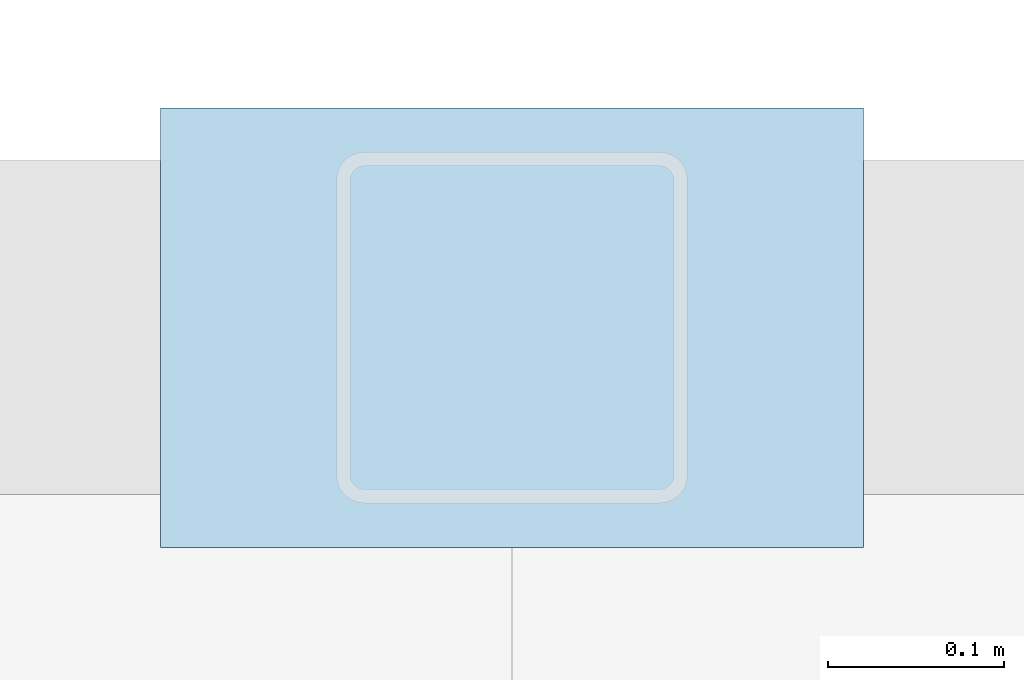
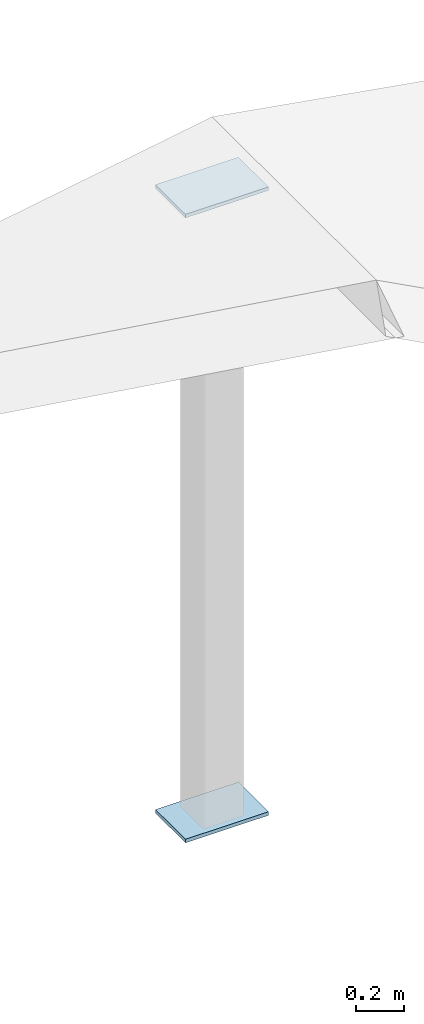
# One storey, part 82 of 140: 2 plates.
"""IFC4 building model written with IfcOpenShell, lengths in metres."""

from ifc_helpers import new_model, si_unit, direction, frame, origin, origin_2d, place, context, subcontext, project, spatial, rectangle, extrude, material, layer, layer_set, type_object, element, save


model = new_model("IFC4")

# Units and contexts
model_context = context("Model", 3, precision=1e-05, world=origin(), true_north=direction((0.0, 1.0)))
body_context = subcontext(model_context, "Body", "Model", "MODEL_VIEW")
ifc_project = project(units=[si_unit("LENGTHUNIT", "METRE"), si_unit("AREAUNIT", "SQUARE_METRE"), si_unit("VOLUMEUNIT", "CUBIC_METRE"), si_unit("PLANEANGLEUNIT", "RADIAN"), si_unit("MASSUNIT", "GRAM", prefix="KILO")], contexts=[model_context])

# Site, building, storey
site_placement = place(None, origin())
site = spatial("IfcSite", under=ifc_project, at=site_placement, CompositionType="ELEMENT")
building_placement = place(site_placement, origin())
building = spatial("IfcBuilding", under=site, at=building_placement, Name="Varnapada Polytechnic", CompositionType="ELEMENT")
storey_placement = place(building_placement, frame((0.0, 0.0, 13.800048828125)))
storey = spatial("IfcBuildingStorey", under=building, at=storey_placement, Name="L03", CompositionType="ELEMENT", Elevation=13.800048828125)

# Plates
ifc_material = material(Name="Steel S355", Category="steel")
ifc_layer = layer(ifc_material, 0.01806640625)
ifc_layer_set = layer_set([ifc_layer], Name="Steel S355")
plate_type = type_object("IfcPlateType", Name="Plate BP-06", PredefinedType="SHEET", material=ifc_layer_set)
for number, where, z_axis, x_axis, name in (
    (1, (151.199951171875, 50.39990234375, -0.009033203125), (0.0, 0.0, 1.0), (1.0, 0.0, 0.0), "Post splice gusset plate V3-RPPL-06 B"),
    (2, (151.199951171875, 50.39990234375, 3.1708984375), (0.0, 0.0, 1.0), (1.0, 0.0, 0.0), "Post splice gusset plate V3-RPPL-06 T"),
):
    element("IfcPlate", number, at=place(storey_placement, frame(where, z_axis=z_axis, x_axis=x_axis)), inside=storey, type_object=plate_type, Name=name, PredefinedType="SHEET", context=body_context, shape_type="SweptSolid", body=[
        extrude(rectangle(XDim=0.39990234375, YDim=0.25, at=origin_2d()), origin(), (0.0, 0.0, 1.0), 0.01806640625),
    ])

save(model, "model.ifc")
